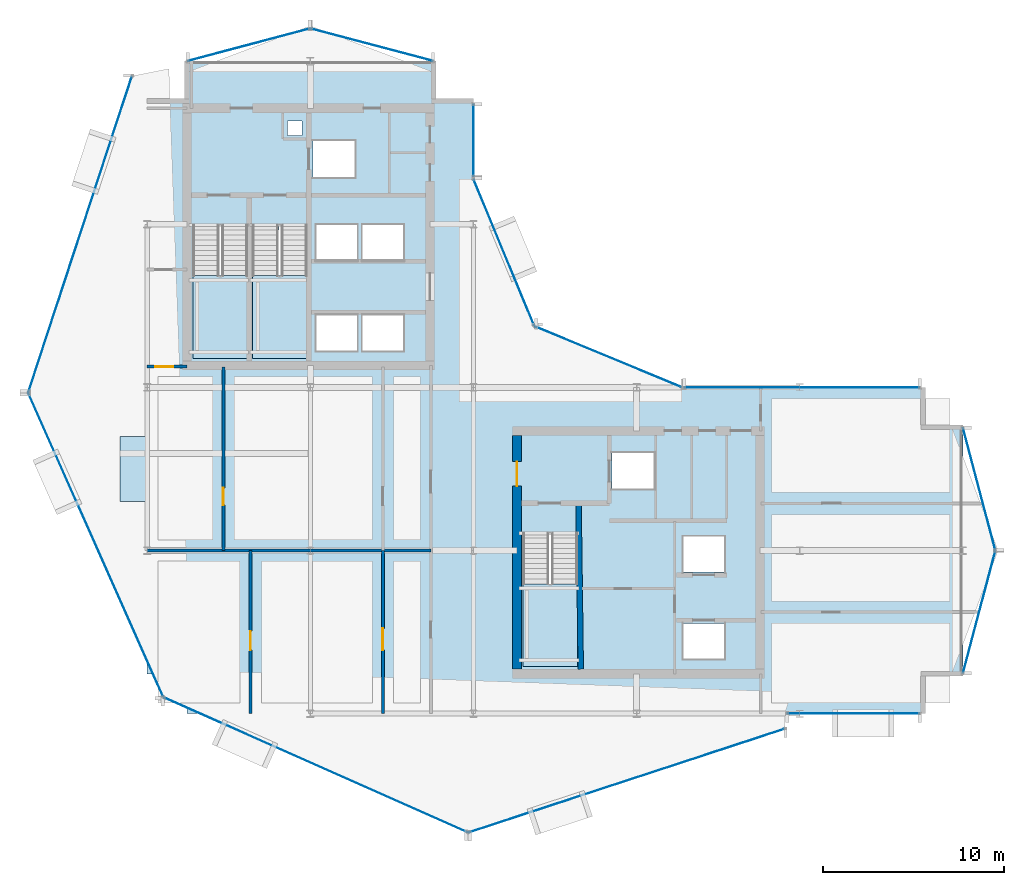
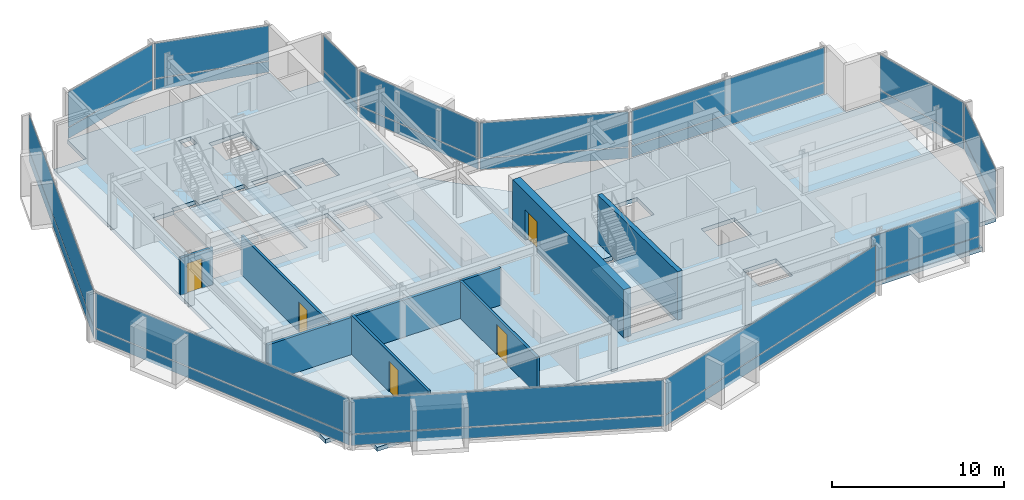
# One storey, part 19 of 27: 26 plates, 7 walls, 5 doors, 5 slabs, 5 openings, 16 elements without a shape of their own.
"""IFC4 building model written with IfcOpenShell, lengths in metres."""

from ifc_helpers import new_model, si_unit, direction, frame, frame_2d, origin, origin_2d, place, context, subcontext, project, spatial, polyline, rectangle, outline, extrude, material, layer, layer_set, type_object, element, fill, aggregate, save


model = new_model("IFC4")

# Units and contexts
model_context = context("Model", 3, precision=1e-05, world=origin(), true_north=direction((0.0, 1.0)))
body_context = subcontext(model_context, "Body", "Model", "MODEL_VIEW")
ifc_project = project(units=[si_unit("LENGTHUNIT", "METRE"), si_unit("AREAUNIT", "SQUARE_METRE"), si_unit("VOLUMEUNIT", "CUBIC_METRE"), si_unit("PLANEANGLEUNIT", "RADIAN"), si_unit("MASSUNIT", "GRAM", prefix="KILO")], contexts=[model_context])

# Site, building, storey
site_placement = place(None, origin())
site = spatial("IfcSite", under=ifc_project, at=site_placement, CompositionType="ELEMENT")
building_placement = place(site_placement, origin())
building = spatial("IfcBuilding", under=site, at=building_placement, Name="Solvaryn Broadcast Tower", CompositionType="ELEMENT")
storey_placement = place(building_placement, frame((0.0, 0.0, 189.0)))
storey = spatial("IfcBuildingStorey", under=building, at=storey_placement, Name="L47", CompositionType="ELEMENT", Elevation=189.0)

# Curtain wall, plates
ifc_material_1 = material(Name="Aluminium and Terracotta Unitised Curtain Wall", Category="masonry")
ifc_layer_1 = layer(ifc_material_1, 0.199951171875)
ifc_layer_set_1 = layer_set([ifc_layer_1], Name="CW-SYS2-LOWMID")
curtain_wall_type = type_object("IfcCurtainWallType", Name="CW-SYS2-LOWMID", PredefinedType="NOTDEFINED", material=ifc_layer_set_1)
curtain_wall_1_placement = place(storey_placement, origin())
curtain_wall_1 = element("IfcCurtainWall", 1, at=curtain_wall_1_placement, inside=storey, type_object=curtain_wall_type, Name="L47 Curtain Wall DR1", PredefinedType="NOTDEFINED")
ifc_material_2 = material(Name="Low-Iron Insulated Vision Glass", Category="glass")
ifc_layer_2 = layer(ifc_material_2, 0.035888671875)
ifc_layer_set_2 = layer_set([ifc_layer_2], Name="CW-PNL-VISION")
plate_type = type_object("IfcPlateType", Name="CW-PNL-VISION", PredefinedType="CURTAIN_PANEL", material=ifc_layer_set_2)
plate_1_placement = place(storey_placement, frame((5.298095703125, 35.444091796875, 0.06005859375), z_axis=(0.0, 0.0, 1.0), x_axis=(-0.311558717623, -0.950226902099, 0.0)))
plate_1 = element("IfcPlate", 2, at=plate_1_placement, type_object=plate_type, Name="CWS2 panel 1.1", PredefinedType="CURTAIN_PANEL", context=body_context, shape_type="SweptSolid", body=[
    extrude(rectangle(XDim=18.271484375, YDim=0.028076171875, at=origin_2d()), origin(), (0.0, 0.0, 1.0), 0.760009765625),
])
plate_2_placement = place(storey_placement, frame((5.298095703125, 35.444091796875, 0.880126953125), z_axis=(0.0, 0.0, 1.0), x_axis=(-0.311558717623, -0.950226902099, 0.0)))
plate_2 = element("IfcPlate", 3, at=plate_2_placement, type_object=plate_type, Name="CWS2 panel 1.2", PredefinedType="CURTAIN_PANEL", context=body_context, shape_type="SweptSolid", body=[
    extrude(rectangle(XDim=18.271484375, YDim=0.028076171875, at=origin_2d()), origin(), (0.0, 0.0, 1.0), 2.47998046875),
])
aggregate(curtain_wall_1, [plate_1, plate_2])

curtain_wall_2_placement = place(storey_placement, origin())
curtain_wall_2 = element("IfcCurtainWall", 4, at=curtain_wall_2_placement, inside=storey, type_object=curtain_wall_type, Name="L47 Curtain Wall DR2", PredefinedType="NOTDEFINED")
plate_3_placement = place(storey_placement, frame((6.16552734375, 18.302001953125, 0.06005859375), z_axis=(0.0, 0.0, 1.0), x_axis=(0.405901337237, -0.913916902365, 0.0)))
plate_3 = element("IfcPlate", 5, at=plate_3_placement, type_object=plate_type, Name="CWS2 panel 1.1", PredefinedType="CURTAIN_PANEL", context=body_context, shape_type="SweptSolid", body=[
    extrude(rectangle(XDim=18.271240234375, YDim=0.028076171875, at=origin_2d()), origin(), (0.0, 0.0, 1.0), 0.760009765625),
])
plate_4_placement = place(storey_placement, frame((6.16552734375, 18.302001953125, 0.880126953125), z_axis=(0.0, 0.0, 1.0), x_axis=(0.405901337237, -0.913916902365, 0.0)))
plate_4 = element("IfcPlate", 6, at=plate_4_placement, type_object=plate_type, Name="CWS2 panel 1.2", PredefinedType="CURTAIN_PANEL", context=body_context, shape_type="SweptSolid", body=[
    extrude(rectangle(XDim=18.271240234375, YDim=0.028076171875, at=origin_2d()), origin(), (0.0, 0.0, 1.0), 2.47998046875),
])
aggregate(curtain_wall_2, [plate_3, plate_4])

curtain_wall_3_placement = place(storey_placement, origin())
curtain_wall_3 = element("IfcCurtainWall", 7, at=curtain_wall_3_placement, inside=storey, type_object=curtain_wall_type, Name="L47 Curtain Wall DR3", PredefinedType="NOTDEFINED")
plate_5_placement = place(storey_placement, frame((18.302001953125, 6.16552734375, 0.06005859375), z_axis=(0.0, 0.0, 1.0), x_axis=(0.913916902365, -0.405901337237, 0.0)))
plate_5 = element("IfcPlate", 8, at=plate_5_placement, type_object=plate_type, Name="CWS2 panel 1.1", PredefinedType="CURTAIN_PANEL", context=body_context, shape_type="SweptSolid", body=[
    extrude(rectangle(XDim=18.271240234375, YDim=0.028076171875, at=origin_2d()), origin(), (0.0, 0.0, 1.0), 0.760009765625),
])
plate_6_placement = place(storey_placement, frame((18.302001953125, 6.16552734375, 0.880126953125), z_axis=(0.0, 0.0, 1.0), x_axis=(0.913916902365, -0.405901337237, 0.0)))
plate_6 = element("IfcPlate", 9, at=plate_6_placement, type_object=plate_type, Name="CWS2 panel 1.2", PredefinedType="CURTAIN_PANEL", context=body_context, shape_type="SweptSolid", body=[
    extrude(rectangle(XDim=18.271240234375, YDim=0.028076171875, at=origin_2d()), origin(), (0.0, 0.0, 1.0), 2.47998046875),
])
aggregate(curtain_wall_3, [plate_5, plate_6])

curtain_wall_4_placement = place(storey_placement, origin())
curtain_wall_4 = element("IfcCurtainWall", 10, at=curtain_wall_4_placement, inside=storey, type_object=curtain_wall_type, Name="L47 Curtain Wall DR4", PredefinedType="NOTDEFINED")
plate_7_placement = place(storey_placement, frame((35.444091796875, 5.298095703125, 0.06005859375), z_axis=(0.0, 0.0, 1.0), x_axis=(0.950226902099, 0.311558717623, 0.0)))
plate_7 = element("IfcPlate", 11, at=plate_7_placement, type_object=plate_type, Name="CWS2 panel 1.1", PredefinedType="CURTAIN_PANEL", context=body_context, shape_type="SweptSolid", body=[
    extrude(rectangle(XDim=18.271484375, YDim=0.028076171875, at=origin_2d()), origin(), (0.0, 0.0, 1.0), 0.760009765625),
])
plate_8_placement = place(storey_placement, frame((35.444091796875, 5.298095703125, 0.880126953125), z_axis=(0.0, 0.0, 1.0), x_axis=(0.950226902099, 0.311558717623, 0.0)))
plate_8 = element("IfcPlate", 12, at=plate_8_placement, type_object=plate_type, Name="CWS2 panel 1.2", PredefinedType="CURTAIN_PANEL", context=body_context, shape_type="SweptSolid", body=[
    extrude(rectangle(XDim=18.271484375, YDim=0.028076171875, at=origin_2d()), origin(), (0.0, 0.0, 1.0), 2.47998046875),
])
aggregate(curtain_wall_4, [plate_7, plate_8])

curtain_wall_5_placement = place(storey_placement, origin())
curtain_wall_5 = element("IfcCurtainWall", 13, at=curtain_wall_5_placement, inside=storey, type_object=curtain_wall_type, Name="L47 Curtain Wall IV", PredefinedType="NOTDEFINED")
plate_9_placement = place(storey_placement, frame((27.0, 40.625, 0.06005859375), z_axis=(0.0, 0.0, 1.0), x_axis=(0.0, -1.0, 0.0)))
plate_9 = element("IfcPlate", 14, at=plate_9_placement, type_object=plate_type, Name="CWS2 panel 1.1", PredefinedType="CURTAIN_PANEL", context=body_context, shape_type="SweptSolid", body=[
    extrude(rectangle(XDim=3.929931640625, YDim=0.028076171875, at=origin_2d()), origin(), (0.0, 0.0, 1.0), 0.760009765625),
])
plate_10_placement = place(storey_placement, frame((27.0, 40.625, 0.880126953125), z_axis=(0.0, 0.0, 1.0), x_axis=(0.0, -1.0, 0.0)))
plate_10 = element("IfcPlate", 15, at=plate_10_placement, type_object=plate_type, Name="CWS2 panel 1.2", PredefinedType="CURTAIN_PANEL", context=body_context, shape_type="SweptSolid", body=[
    extrude(rectangle(XDim=3.929931640625, YDim=0.028076171875, at=origin_2d()), origin(), (0.0, 0.0, 1.0), 2.47998046875),
])
aggregate(curtain_wall_5, [plate_9, plate_10])

curtain_wall_6_placement = place(storey_placement, origin())
curtain_wall_6 = element("IfcCurtainWall", 16, at=curtain_wall_6_placement, inside=storey, type_object=curtain_wall_type, Name="L47 Curtain Wall CN1", PredefinedType="NOTDEFINED")
plate_11_placement = place(storey_placement, frame((34.43408203125, 28.68408203125, 0.06005859375), z_axis=(0.0, 0.0, 1.0), x_axis=(-0.923894983957, 0.382646127145, 0.0)))
plate_11 = element("IfcPlate", 17, at=plate_11_placement, type_object=plate_type, Name="CWS2 panel 1.1", PredefinedType="CURTAIN_PANEL", context=body_context, shape_type="SweptSolid", body=[
    extrude(rectangle(XDim=8.681884765625, YDim=0.028076171875, at=origin_2d()), origin(), (0.0, 0.0, 1.0), 0.760009765625),
])
plate_12_placement = place(storey_placement, frame((34.43408203125, 28.68408203125, 0.880126953125), z_axis=(0.0, 0.0, 1.0), x_axis=(-0.923894983957, 0.382646127145, 0.0)))
plate_12 = element("IfcPlate", 18, at=plate_12_placement, type_object=plate_type, Name="CWS2 panel 1.2", PredefinedType="CURTAIN_PANEL", context=body_context, shape_type="SweptSolid", body=[
    extrude(rectangle(XDim=8.681884765625, YDim=0.028076171875, at=origin_2d()), origin(), (0.0, 0.0, 1.0), 2.47998046875),
])
aggregate(curtain_wall_6, [plate_11, plate_12])

curtain_wall_7_placement = place(storey_placement, origin())
curtain_wall_7 = element("IfcCurtainWall", 19, at=curtain_wall_7_placement, inside=storey, type_object=curtain_wall_type, Name="L47 Curtain Wall CN2", PredefinedType="NOTDEFINED")
plate_13_placement = place(storey_placement, frame((28.68408203125, 34.43408203125, 0.06005859375), z_axis=(0.0, 0.0, 1.0), x_axis=(-0.382646127145, 0.923894983957, 0.0)))
plate_13 = element("IfcPlate", 20, at=plate_13_placement, type_object=plate_type, Name="CWS2 panel 1.1", PredefinedType="CURTAIN_PANEL", context=body_context, shape_type="SweptSolid", body=[
    extrude(rectangle(XDim=8.681884765625, YDim=0.028076171875, at=origin_2d()), origin(), (0.0, 0.0, 1.0), 0.760009765625),
])
plate_14_placement = place(storey_placement, frame((28.68408203125, 34.43408203125, 0.880126953125), z_axis=(0.0, 0.0, 1.0), x_axis=(-0.382646127145, 0.923894983957, 0.0)))
plate_14 = element("IfcPlate", 21, at=plate_14_placement, type_object=plate_type, Name="CWS2 panel 1.2", PredefinedType="CURTAIN_PANEL", context=body_context, shape_type="SweptSolid", body=[
    extrude(rectangle(XDim=8.681884765625, YDim=0.028076171875, at=origin_2d()), origin(), (0.0, 0.0, 1.0), 2.47998046875),
])
aggregate(curtain_wall_7, [plate_13, plate_14])

curtain_wall_8_placement = place(storey_placement, origin())
curtain_wall_8 = element("IfcCurtainWall", 22, at=curtain_wall_8_placement, inside=storey, type_object=curtain_wall_type, Name="L47 Curtain Wall S2", PredefinedType="NOTDEFINED")
plate_15_placement = place(storey_placement, frame((47.966064453125, 9.0, 0.06005859375), z_axis=(0.0, 0.0, 1.0), x_axis=(1.0, 0.0, 0.0)))
plate_15 = element("IfcPlate", 23, at=plate_15_placement, type_object=plate_type, Name="CWS2 panel 1.1", PredefinedType="CURTAIN_PANEL", context=body_context, shape_type="SweptSolid", body=[
    extrude(rectangle(XDim=7.248046875, YDim=0.028076171875, at=origin_2d()), origin(), (0.0, 0.0, 1.0), 0.760009765625),
])
plate_16_placement = place(storey_placement, frame((47.966064453125, 9.0, 0.880126953125), z_axis=(0.0, 0.0, 1.0), x_axis=(1.0, 0.0, 0.0)))
plate_16 = element("IfcPlate", 24, at=plate_16_placement, type_object=plate_type, Name="CWS2 panel 1.2", PredefinedType="CURTAIN_PANEL", context=body_context, shape_type="SweptSolid", body=[
    extrude(rectangle(XDim=7.248046875, YDim=0.028076171875, at=origin_2d()), origin(), (0.0, 0.0, 1.0), 2.47998046875),
])
aggregate(curtain_wall_8, [plate_15, plate_16])

curtain_wall_9_placement = place(storey_placement, origin())
curtain_wall_9 = element("IfcCurtainWall", 25, at=curtain_wall_9_placement, inside=storey, type_object=curtain_wall_type, Name="L47 Curtain Wall NT1", PredefinedType="NOTDEFINED")
plate_17_placement = place(storey_placement, frame((21.39990234375, 45.89990234375, 0.06005859375), z_axis=(0.0, 0.0, 1.0), x_axis=(-0.966705227863, 0.25589256031, 0.0)))
plate_17 = element("IfcPlate", 26, at=plate_17_placement, type_object=plate_type, Name="CWS2 panel 1.1", PredefinedType="CURTAIN_PANEL", context=body_context, shape_type="SweptSolid", body=[
    extrude(rectangle(XDim=6.914306640625, YDim=0.028076171875, at=origin_2d()), origin(), (0.0, 0.0, 1.0), 0.760009765625),
])
plate_18_placement = place(storey_placement, frame((21.39990234375, 45.89990234375, 0.880126953125), z_axis=(0.0, 0.0, 1.0), x_axis=(-0.966705227863, 0.25589256031, 0.0)))
plate_18 = element("IfcPlate", 27, at=plate_18_placement, type_object=plate_type, Name="CWS2 panel 1.2", PredefinedType="CURTAIN_PANEL", context=body_context, shape_type="SweptSolid", body=[
    extrude(rectangle(XDim=6.914306640625, YDim=0.028076171875, at=origin_2d()), origin(), (0.0, 0.0, 1.0), 2.47998046875),
])
aggregate(curtain_wall_9, [plate_17, plate_18])

curtain_wall_10_placement = place(storey_placement, origin())
curtain_wall_10 = element("IfcCurtainWall", 28, at=curtain_wall_10_placement, inside=storey, type_object=curtain_wall_type, Name="L47 Curtain Wall NT2", PredefinedType="NOTDEFINED")
plate_19_placement = place(storey_placement, frame((14.60009765625, 45.89990234375, 0.06005859375), z_axis=(0.0, 0.0, 1.0), x_axis=(-0.966705227863, -0.25589256031, 0.0)))
plate_19 = element("IfcPlate", 29, at=plate_19_placement, type_object=plate_type, Name="CWS2 panel 1.1", PredefinedType="CURTAIN_PANEL", context=body_context, shape_type="SweptSolid", body=[
    extrude(rectangle(XDim=6.914306640625, YDim=0.028076171875, at=origin_2d()), origin(), (0.0, 0.0, 1.0), 0.760009765625),
])
plate_20_placement = place(storey_placement, frame((14.60009765625, 45.89990234375, 0.880126953125), z_axis=(0.0, 0.0, 1.0), x_axis=(-0.966705227863, -0.25589256031, 0.0)))
plate_20 = element("IfcPlate", 30, at=plate_20_placement, type_object=plate_type, Name="CWS2 panel 1.2", PredefinedType="CURTAIN_PANEL", context=body_context, shape_type="SweptSolid", body=[
    extrude(rectangle(XDim=6.914306640625, YDim=0.028076171875, at=origin_2d()), origin(), (0.0, 0.0, 1.0), 2.47998046875),
])
aggregate(curtain_wall_10, [plate_19, plate_20])

curtain_wall_11_placement = place(storey_placement, origin())
curtain_wall_11 = element("IfcCurtainWall", 31, at=curtain_wall_11_placement, inside=storey, type_object=curtain_wall_type, Name="L47 Curtain Wall ET1", PredefinedType="NOTDEFINED")
plate_21_placement = place(storey_placement, frame((54.89990234375, 21.39990234375, 0.06005859375), z_axis=(0.0, 0.0, 1.0), x_axis=(0.25589256031, -0.966705227863, 0.0)))
plate_21 = element("IfcPlate", 32, at=plate_21_placement, type_object=plate_type, Name="CWS2 panel 1.1", PredefinedType="CURTAIN_PANEL", context=body_context, shape_type="SweptSolid", body=[
    extrude(rectangle(XDim=6.914306640625, YDim=0.028076171875, at=origin_2d()), origin(), (0.0, 0.0, 1.0), 0.760009765625),
])
plate_22_placement = place(storey_placement, frame((54.89990234375, 21.39990234375, 0.880126953125), z_axis=(0.0, 0.0, 1.0), x_axis=(0.25589256031, -0.966705227863, 0.0)))
plate_22 = element("IfcPlate", 33, at=plate_22_placement, type_object=plate_type, Name="CWS2 panel 1.2", PredefinedType="CURTAIN_PANEL", context=body_context, shape_type="SweptSolid", body=[
    extrude(rectangle(XDim=6.914306640625, YDim=0.028076171875, at=origin_2d()), origin(), (0.0, 0.0, 1.0), 2.47998046875),
])
aggregate(curtain_wall_11, [plate_21, plate_22])

curtain_wall_12_placement = place(storey_placement, origin())
curtain_wall_12 = element("IfcCurtainWall", 34, at=curtain_wall_12_placement, inside=storey, type_object=curtain_wall_type, Name="L47 Curtain Wall ET2", PredefinedType="NOTDEFINED")
plate_23_placement = place(storey_placement, frame((54.89990234375, 14.60009765625, 0.06005859375), z_axis=(0.0, 0.0, 1.0), x_axis=(-0.25589256031, -0.966705227863, 0.0)))
plate_23 = element("IfcPlate", 35, at=plate_23_placement, type_object=plate_type, Name="CWS2 panel 1.1", PredefinedType="CURTAIN_PANEL", context=body_context, shape_type="SweptSolid", body=[
    extrude(rectangle(XDim=6.914306640625, YDim=0.028076171875, at=origin_2d()), origin(), (0.0, 0.0, 1.0), 0.760009765625),
])
plate_24_placement = place(storey_placement, frame((54.89990234375, 14.60009765625, 0.880126953125), z_axis=(0.0, 0.0, 1.0), x_axis=(-0.25589256031, -0.966705227863, 0.0)))
plate_24 = element("IfcPlate", 36, at=plate_24_placement, type_object=plate_type, Name="CWS2 panel 1.2", PredefinedType="CURTAIN_PANEL", context=body_context, shape_type="SweptSolid", body=[
    extrude(rectangle(XDim=6.914306640625, YDim=0.028076171875, at=origin_2d()), origin(), (0.0, 0.0, 1.0), 2.47998046875),
])
aggregate(curtain_wall_12, [plate_23, plate_24])

curtain_wall_13_placement = place(storey_placement, origin())
curtain_wall_13 = element("IfcCurtainWall", 37, at=curtain_wall_13_placement, inside=storey, type_object=curtain_wall_type, Name="L47 Curtain Wall IH", PredefinedType="NOTDEFINED")
plate_25_placement = place(storey_placement, frame((45.125, 27.0, 0.06005859375), z_axis=(0.0, 0.0, 1.0), x_axis=(1.0, 0.0, 0.0)))
plate_25 = element("IfcPlate", 38, at=plate_25_placement, type_object=plate_type, Name="CWS2 panel 1.1", PredefinedType="CURTAIN_PANEL", context=body_context, shape_type="SweptSolid", body=[
    extrude(rectangle(XDim=12.929931640625, YDim=0.028076171875, at=origin_2d()), origin(), (0.0, 0.0, 1.0), 0.760009765625),
])
plate_26_placement = place(storey_placement, frame((45.125, 27.0, 0.880126953125), z_axis=(0.0, 0.0, 1.0), x_axis=(1.0, 0.0, 0.0)))
plate_26 = element("IfcPlate", 39, at=plate_26_placement, type_object=plate_type, Name="CWS2 panel 1.2", PredefinedType="CURTAIN_PANEL", context=body_context, shape_type="SweptSolid", body=[
    extrude(rectangle(XDim=12.929931640625, YDim=0.028076171875, at=origin_2d()), origin(), (0.0, 0.0, 1.0), 2.47998046875),
])
aggregate(curtain_wall_13, [plate_25, plate_26])

# Slab
ifc_material_3 = material(Name="Concrete f'c 60 MPa", Category="concrete")
ifc_layer_3 = layer(ifc_material_3, 0.2099609375)
ifc_layer_set_3 = layer_set([ifc_layer_3], Name="SL-BAYBOX-210")
slab_type_1 = type_object("IfcSlabType", Name="SL-BAYBOX-210", PredefinedType="FLOOR", material=ifc_layer_set_3)
slab_1_placement = place(storey_placement, frame((0.0, 0.0, -0.2099609375)))
element("IfcSlab", 40, at=slab_1_placement, inside=storey, type_object=slab_type_1, Name="L47 Projecting Bay-Box Slab 1", PredefinedType="FLOOR", context=body_context, shape_type="SweptSolid", body=[
    extrude(outline(polyline([(7.5, 20.699951171875), (9.0, 20.699951171875), (9.0, 24.300048828125), (7.5, 24.300048828125), (7.5, 20.699951171875)])), origin(), (0.0, 0.0, 1.0), 0.2099609375),
])

# Stair, slab
ifc_material_4 = material(Name="Concrete f'c 60 MPa", Category="concrete")
stair_type = type_object("IfcStairType", Name="ST-CORE", PredefinedType="HALF_TURN_STAIR", material=ifc_material_4)
stair_1_placement = place(storey_placement, origin())
stair_1 = element("IfcStair", 41, at=stair_1_placement, inside=storey, type_object=stair_type, Name="L47 ST1", PredefinedType="HALF_TURN_STAIR")
ifc_material_5 = material(Name="Concrete f'c 60 MPa", Category="concrete")
ifc_layer_4 = layer(ifc_material_5, 0.199951171875)
ifc_layer_set_4 = layer_set([ifc_layer_4], Name="SL-LANDING-200")
slab_type_2 = type_object("IfcSlabType", Name="SL-LANDING-200", PredefinedType="LANDING", material=ifc_layer_set_4)
slab_2_placement = place(storey_placement, frame((0.0, 0.0, 1.64990234375)))
slab_2 = element("IfcSlab", 42, at=slab_2_placement, type_object=slab_type_2, Name="ST1 landing 1", PredefinedType="LANDING", context=body_context, shape_type="SweptSolid", body=[
    extrude(outline(polyline([(11.52001953125, 33.159912109375), (11.52001953125, 28.60009765625), (14.550048828125, 28.60009765625), (14.550048828125, 33.159912109375), (11.52001953125, 33.159912109375)])), origin(), (0.0, 0.0, 1.0), 0.2001953125),
])
aggregate(stair_1, [slab_2])

stair_2_placement = place(storey_placement, origin())
stair_2 = element("IfcStair", 43, at=stair_2_placement, inside=storey, type_object=stair_type, Name="L47 ST2", PredefinedType="HALF_TURN_STAIR")
slab_3_placement = place(storey_placement, frame((0.0, 0.0, 1.64990234375)))
slab_3 = element("IfcSlab", 44, at=slab_3_placement, type_object=slab_type_2, Name="ST2 landing 1", PredefinedType="LANDING", context=body_context, shape_type="SweptSolid", body=[
    extrude(outline(polyline([(14.800048828125, 33.159912109375), (14.800048828125, 28.60009765625), (17.830078125, 28.60009765625), (17.830078125, 33.159912109375), (14.800048828125, 33.159912109375)])), origin(), (0.0, 0.0, 1.0), 0.2001953125),
])
aggregate(stair_2, [slab_3])

stair_3_placement = place(storey_placement, origin())
stair_3 = element("IfcStair", 45, at=stair_3_placement, inside=storey, type_object=stair_type, Name="L47 ST3", PredefinedType="HALF_TURN_STAIR")
slab_4_placement = place(storey_placement, frame((0.0, 0.0, 1.64990234375)))
slab_4 = element("IfcSlab", 46, at=slab_4_placement, type_object=slab_type_2, Name="ST3 landing 1", PredefinedType="LANDING", context=body_context, shape_type="SweptSolid", body=[
    extrude(outline(polyline([(29.719970703125, 16.159912109375), (29.719970703125, 11.60009765625), (32.75, 11.60009765625), (32.75, 16.159912109375), (29.719970703125, 16.159912109375)])), origin(), (0.0, 0.0, 1.0), 0.2001953125),
])
aggregate(stair_3, [slab_4])

# Slab
ifc_material_6 = material(Name="Concrete f'c 60 MPa", Category="concrete")
ifc_layer_5 = layer(ifc_material_6, 0.280029296875)
ifc_layer_set_5 = layer_set([ifc_layer_5], Name="SL-TWR-280")
slab_type_3 = type_object("IfcSlabType", Name="SL-TWR-280", PredefinedType="FLOOR", material=ifc_layer_set_5)
slab_5_placement = place(storey_placement, frame((0.0, 0.0, -0.280029296875)))
element("IfcSlab", 47, at=slab_5_placement, inside=storey, type_object=slab_type_3, Name="L47 Structural Floor Slab", PredefinedType="FLOOR", context=body_context, shape_type="SweptSolid", body=[
    extrude(outline(polyline([(11.199951171875, 9.0), (51.800048828125, 9.0), (51.800048828125, 11.199951171875), (54.0, 11.199951171875), (54.0, 24.800048828125), (51.800048828125, 24.800048828125), (51.800048828125, 27.0), (31.5, 27.0), (27.0, 31.5), (27.0, 42.800048828125), (24.800048828125, 42.800048828125), (24.800048828125, 45.0), (11.199951171875, 45.0), (11.199951171875, 42.800048828125), (9.0, 42.800048828125), (9.0, 11.199951171875), (11.199951171875, 11.199951171875), (11.199951171875, 9.0)]), holes=[polyline([(11.52001953125, 28.60009765625), (14.550048828125, 28.60009765625), (14.550048828125, 35.9599609375), (12.97998046875, 35.9599609375), (12.97998046875, 35.679931640625), (11.52001953125, 35.679931640625), (11.52001953125, 28.60009765625)]), polyline([(14.800048828125, 28.60009765625), (17.830078125, 28.60009765625), (17.830078125, 35.9599609375), (16.260009765625, 35.9599609375), (16.260009765625, 35.679931640625), (14.800048828125, 35.679931640625), (14.800048828125, 28.60009765625)]), polyline([(29.719970703125, 11.60009765625), (32.75, 11.60009765625), (32.75, 18.9599609375), (31.179931640625, 18.9599609375), (31.179931640625, 18.679931640625), (29.719970703125, 18.679931640625), (29.719970703125, 11.60009765625)]), polyline([(18.14990234375, 38.60009765625), (20.449951171875, 38.60009765625), (20.449951171875, 40.60009765625), (18.14990234375, 40.60009765625), (18.14990234375, 38.60009765625)]), polyline([(18.324951171875, 29.02490234375), (20.574951171875, 29.02490234375), (20.574951171875, 30.97509765625), (18.324951171875, 30.97509765625), (18.324951171875, 29.02490234375)]), polyline([(20.875, 29.02490234375), (23.125, 29.02490234375), (23.125, 30.97509765625), (20.875, 30.97509765625), (20.875, 29.02490234375)]), polyline([(18.324951171875, 34.02490234375), (20.574951171875, 34.02490234375), (20.574951171875, 35.97509765625), (18.324951171875, 35.97509765625), (18.324951171875, 34.02490234375)]), polyline([(20.875, 34.02490234375), (23.125, 34.02490234375), (23.125, 35.97509765625), (20.875, 35.97509765625), (20.875, 34.02490234375)]), polyline([(34.64990234375, 21.39990234375), (36.949951171875, 21.39990234375), (36.949951171875, 23.39990234375), (34.64990234375, 23.39990234375), (34.64990234375, 21.39990234375)]), polyline([(38.574951171875, 12.02490234375), (40.824951171875, 12.02490234375), (40.824951171875, 13.97509765625), (38.574951171875, 13.97509765625), (38.574951171875, 12.02490234375)]), polyline([(38.574951171875, 16.824951171875), (40.824951171875, 16.824951171875), (40.824951171875, 18.77490234375), (38.574951171875, 18.77490234375), (38.574951171875, 16.824951171875)]), polyline([(16.75, 40.89990234375), (17.550048828125, 40.89990234375), (17.550048828125, 41.699951171875), (16.75, 41.699951171875), (16.75, 40.89990234375)])]), origin(), (0.0, 0.0, 1.0), 0.280029296875),
])

# Wall, opening, door
ifc_material_7 = material(Name="Concrete f'c 70 MPa", Category="concrete")
ifc_layer_6 = layer(ifc_material_7, 0.5)
ifc_layer_set_6 = layer_set([ifc_layer_6], Name="CW-SHEAR-500")
wall_type_1 = type_object("IfcWallType", Name="CW-SHEAR-500", PredefinedType="SHEAR", material=ifc_layer_set_6)
wall_1_placement = place(storey_placement, frame((29.39990234375, 24.35009765625, 0.0), z_axis=(0.0, 0.0, 1.0), x_axis=(0.0, -1.0, 0.0)))
wall_1 = element("IfcWall", 48, at=wall_1_placement, inside=storey, type_object=wall_type_1, Name="L47 East Core West Shear Wall", PredefinedType="SHEAR", context=body_context, shape_type="SweptSolid", body=[
    extrude(rectangle(XDim=12.900146484375, YDim=0.5, at=frame_2d((6.4501953125, 0.0))), origin(), (0.0, 0.0, 1.0), 3.419921875),
])
opening_1_placement = place(wall_1_placement, frame((1.449951171875, 0.0, 0.0)))
opening_1 = element("IfcOpeningElement", 49, at=opening_1_placement, cuts=wall_1, Name="Opening FD90B", PredefinedType="OPENING", context=body_context, shape_type="SweptSolid", body=[
    extrude(rectangle(XDim=1.35009765625, YDim=2.14990234375, at=frame_2d((0.675048828125, 1.074951171875))), frame((0.0, 0.260009765625, 0.0), z_axis=(0.0, -1.0, 0.0), x_axis=(1.0, 0.0, 0.0)), (0.0, 0.0, 1.0), 0.52001953125),
])
ifc_material_8 = material(Name="Flush Acoustic Steel and Timber Door Assembly", Category="steel")
door_type_1 = type_object("IfcDoorType", Name="FD90-LOBBY-1350X2150", OperationType="NOTDEFINED", PredefinedType="DOOR", material=ifc_material_8)
door_1_placement = place(opening_1_placement, origin())
door_1 = element("IfcDoor", 50, at=door_1_placement, inside=storey, type_object=door_type_1, Name="L47 East FSAE Lobby Door", OperationType="SINGLE_SWING_RIGHT", OverallHeight=2.14990234375, OverallWidth=1.35009765625, PredefinedType="DOOR", context=body_context, shape_type="SweptSolid", body=[
    extrude(rectangle(XDim=1.35009765625, YDim=2.14990234375, at=frame_2d((0.675048828125, 1.074951171875))), frame((0.0, 0.02490234375, 0.0), z_axis=(0.0, -1.0, 0.0), x_axis=(1.0, 0.0, 0.0)), (0.0, 0.0, 1.0), 0.050048828125),
])
fill(opening_1, door_1)

ifc_material_9 = material(Name="Metal-Stud Gypsum Office Partition")
ifc_layer_7 = layer(ifc_material_9, 0.159912109375)
ifc_layer_set_7 = layer_set([ifc_layer_7], Name="IW-PART-160")
wall_type_2 = type_object("IfcWallType", Name="IW-PART-160", PredefinedType="PARTITIONING", material=ifc_layer_set_7)
wall_2_placement = place(storey_placement, frame((9.0, 28.14990234375, 0.0), z_axis=(0.0, 0.0, 1.0), x_axis=(1.0, 0.0, 0.0)))
wall_2 = element("IfcWall", 51, at=wall_2_placement, inside=storey, type_object=wall_type_2, Name="L47 Interior Partition IW-L47-WM-S", PredefinedType="PARTITIONING", context=body_context, shape_type="SweptSolid", body=[
    extrude(rectangle(XDim=2.199951171875, YDim=0.159912109375, at=frame_2d((1.10009765625, 0.0))), origin(), (0.0, 0.0, 1.0), 2.634033203125),
])
opening_2_placement = place(wall_2_placement, frame((0.449951171875, 0.0, 0.0)))
opening_2 = element("IfcOpeningElement", 52, at=opening_2_placement, cuts=wall_2, Name="Opening ID02", PredefinedType="OPENING", context=body_context, shape_type="SweptSolid", body=[
    extrude(rectangle(XDim=1.0, YDim=2.10009765625, at=frame_2d((0.5, 1.050048828125))), frame((0.0, 0.090087890625, 0.0), z_axis=(0.0, -1.0, 0.0), x_axis=(1.0, 0.0, 0.0)), (0.0, 0.0, 1.0), 0.179931640625),
])
ifc_material_10 = material(Name="Flush Acoustic Steel and Timber Door Assembly", Category="steel")
door_type_2 = type_object("IfcDoorType", Name="ID-02-1000X2100", OperationType="NOTDEFINED", PredefinedType="DOOR", material=ifc_material_10)
door_2_placement = place(opening_2_placement, origin())
door_2 = element("IfcDoor", 53, at=door_2_placement, inside=storey, type_object=door_type_2, Name="L47 Door DR-L47-WM0", OperationType="SINGLE_SWING_RIGHT", OverallHeight=2.10009765625, OverallWidth=1.0, PredefinedType="DOOR", context=body_context, shape_type="SweptSolid", body=[
    extrude(rectangle(XDim=1.0, YDim=2.10009765625, at=frame_2d((0.5, 1.050048828125))), frame((0.0, 0.02490234375, 0.0), z_axis=(0.0, -1.0, 0.0), x_axis=(1.0, 0.0, 0.0)), (0.0, 0.0, 1.0), 0.050048828125),
])
fill(opening_2, door_2)

wall_3_placement = place(storey_placement, frame((13.199951171875, 18.0, 0.0), z_axis=(0.0, 0.0, 1.0), x_axis=(0.0, 1.0, 0.0)))
wall_3 = element("IfcWall", 54, at=wall_3_placement, inside=storey, type_object=wall_type_2, Name="L47 Interior Partition IW-L47-SWN-V1", PredefinedType="PARTITIONING", context=body_context, shape_type="SweptSolid", body=[
    extrude(rectangle(XDim=10.1298828125, YDim=0.159912109375, at=frame_2d((5.06494140625, 0.0))), origin(), (0.0, 0.0, 1.0), 2.7890625),
])
opening_3_placement = place(wall_3_placement, frame((2.5, 0.0, 0.0)))
opening_3 = element("IfcOpeningElement", 55, at=opening_3_placement, cuts=wall_3, Name="Opening ID01", PredefinedType="OPENING", context=body_context, shape_type="SweptSolid", body=[
    extrude(rectangle(XDim=0.949951171875, YDim=2.10009765625, at=frame_2d((0.47509765625, 1.050048828125))), frame((0.0, 0.090087890625, 0.0), z_axis=(0.0, -1.0, 0.0), x_axis=(1.0, 0.0, 0.0)), (0.0, 0.0, 1.0), 0.179931640625),
])
ifc_material_11 = material(Name="Flush Acoustic Steel and Timber Door Assembly", Category="steel")
door_type_3 = type_object("IfcDoorType", Name="ID-01-950X2100", OperationType="NOTDEFINED", PredefinedType="DOOR", material=ifc_material_11)
door_3_placement = place(opening_3_placement, origin())
door_3 = element("IfcDoor", 56, at=door_3_placement, inside=storey, type_object=door_type_3, Name="L47 Door DR-L47-SWN-1", OperationType="SINGLE_SWING_RIGHT", OverallHeight=2.10009765625, OverallWidth=0.949951171875, PredefinedType="DOOR", context=body_context, shape_type="SweptSolid", body=[
    extrude(rectangle(XDim=0.949951171875, YDim=2.10009765625, at=frame_2d((0.47509765625, 1.050048828125))), frame((0.0, 0.02490234375, 0.0), z_axis=(0.0, -1.0, 0.0), x_axis=(1.0, 0.0, 0.0)), (0.0, 0.0, 1.0), 0.050048828125),
])
fill(opening_3, door_3)

wall_4_placement = place(storey_placement, frame((14.699951171875, 9.0, 0.0), z_axis=(0.0, 0.0, 1.0), x_axis=(0.0, 1.0, 0.0)))
wall_4 = element("IfcWall", 57, at=wall_4_placement, inside=storey, type_object=wall_type_2, Name="L47 Interior Partition IW-L47-SWS-V1", PredefinedType="PARTITIONING", context=body_context, shape_type="SweptSolid", body=[
    extrude(rectangle(XDim=9.0, YDim=0.159912109375, at=frame_2d((4.5, 0.0))), origin(), (0.0, 0.0, 1.0), 2.7890625),
])
opening_4_placement = place(wall_4_placement, frame((3.5, 0.0, 0.0)))
opening_4 = element("IfcOpeningElement", 58, at=opening_4_placement, cuts=wall_4, Name="Opening ID03", PredefinedType="OPENING", context=body_context, shape_type="SweptSolid", body=[
    extrude(rectangle(XDim=1.050048828125, YDim=2.14990234375, at=frame_2d((0.52490234375, 1.074951171875))), frame((0.0, 0.090087890625, 0.0), z_axis=(0.0, -1.0, 0.0), x_axis=(1.0, 0.0, 0.0)), (0.0, 0.0, 1.0), 0.179931640625),
])
ifc_material_12 = material(Name="Flush Acoustic Steel and Timber Door Assembly", Category="steel")
door_type_4 = type_object("IfcDoorType", Name="ID-03-1050X2150", OperationType="NOTDEFINED", PredefinedType="DOOR", material=ifc_material_12)
door_4_placement = place(opening_4_placement, origin())
door_4 = element("IfcDoor", 59, at=door_4_placement, inside=storey, type_object=door_type_4, Name="L47 Door DR-L47-SWS-1", OperationType="SINGLE_SWING_RIGHT", OverallHeight=2.14990234375, OverallWidth=1.050048828125, PredefinedType="DOOR", context=body_context, shape_type="SweptSolid", body=[
    extrude(rectangle(XDim=1.050048828125, YDim=2.14990234375, at=frame_2d((0.52490234375, 1.074951171875))), frame((0.0, 0.02490234375, 0.0), z_axis=(0.0, -1.0, 0.0), x_axis=(1.0, 0.0, 0.0)), (0.0, 0.0, 1.0), 0.050048828125),
])
fill(opening_4, door_4)

wall_5_placement = place(storey_placement, frame((22.0, 9.0, 0.0), z_axis=(0.0, 0.0, 1.0), x_axis=(0.0, 1.0, 0.0)))
wall_5 = element("IfcWall", 60, at=wall_5_placement, inside=storey, type_object=wall_type_2, Name="L47 Interior Partition IW-L47-SWS-V2", PredefinedType="PARTITIONING", context=body_context, shape_type="SweptSolid", body=[
    extrude(rectangle(XDim=9.0, YDim=0.159912109375, at=frame_2d((4.5, 0.0))), origin(), (0.0, 0.0, 1.0), 2.634033203125),
])
opening_5_placement = place(wall_5_placement, frame((3.5, 0.0, 0.0)))
opening_5 = element("IfcOpeningElement", 61, at=opening_5_placement, cuts=wall_5, Name="Opening ID04", PredefinedType="OPENING", context=body_context, shape_type="SweptSolid", body=[
    extrude(rectangle(XDim=1.199951171875, YDim=2.14990234375, at=frame_2d((0.60009765625, 1.074951171875))), frame((0.0, 0.090087890625, 0.0), z_axis=(0.0, -1.0, 0.0), x_axis=(1.0, 0.0, 0.0)), (0.0, 0.0, 1.0), 0.179931640625),
])
ifc_material_13 = material(Name="Flush Acoustic Steel and Timber Door Assembly", Category="steel")
door_type_5 = type_object("IfcDoorType", Name="ID-04-1200X2150", OperationType="NOTDEFINED", PredefinedType="DOOR", material=ifc_material_13)
door_5_placement = place(opening_5_placement, origin())
door_5 = element("IfcDoor", 62, at=door_5_placement, inside=storey, type_object=door_type_5, Name="L47 Door DR-L47-SWS-2", OperationType="SINGLE_SWING_LEFT", OverallHeight=2.14990234375, OverallWidth=1.199951171875, PredefinedType="DOOR", context=body_context, shape_type="SweptSolid", body=[
    extrude(rectangle(XDim=1.199951171875, YDim=2.14990234375, at=frame_2d((0.60009765625, 1.074951171875))), frame((0.0, 0.02490234375, 0.0), z_axis=(0.0, -1.0, 0.0), x_axis=(1.0, 0.0, 0.0)), (0.0, 0.0, 1.0), 0.050048828125),
])
fill(opening_5, door_5)

# Walls
ifc_material_14 = material(Name="Acoustic Metal-Stud Gypsum Partition")
ifc_layer_8 = layer(ifc_material_14, 0.179931640625)
ifc_layer_set_8 = layer_set([ifc_layer_8], Name="IW-PART-180")
wall_type_3 = type_object("IfcWallType", Name="IW-PART-180", PredefinedType="PARTITIONING", material=ifc_layer_set_8)
wall_6_placement = place(storey_placement, frame((9.0, 18.0, 0.0), z_axis=(0.0, 0.0, 1.0), x_axis=(1.0, 0.0, 0.0)))
element("IfcWall", 63, at=wall_6_placement, inside=storey, type_object=wall_type_3, Name="L47 Interior Partition IW-L47-SW-HY", PredefinedType="PARTITIONING", context=body_context, shape_type="SweptSolid", body=[
    extrude(rectangle(XDim=15.64990234375, YDim=0.179931640625, at=frame_2d((7.824951171875, 0.0))), origin(), (0.0, 0.0, 1.0), 2.634033203125),
])
ifc_material_15 = material(Name="Concrete f'c 70 MPa", Category="concrete")
ifc_layer_9 = layer(ifc_material_15, 0.300048828125)
ifc_layer_set_9 = layer_set([ifc_layer_9], Name="SW-SHAFT-300")
wall_type_4 = type_object("IfcWallType", Name="SW-SHAFT-300", PredefinedType="SHEAR", material=ifc_layer_set_9)
wall_7_placement = place(storey_placement, frame((32.919921875, 11.449951171875, 0.0), z_axis=(0.0, 0.0, 1.0), x_axis=(-0.013171578211, 0.999913251001, 0.0)))
element("IfcWall", 64, at=wall_7_placement, inside=storey, type_object=wall_type_4, Name="L47 Stair 3 East Shear Wall", PredefinedType="SHEAR", context=body_context, shape_type="SweptSolid", body=[
    extrude(rectangle(XDim=9.100830078125, YDim=0.300048828125, at=frame_2d((4.55029296875, 0.0))), origin(), (0.0, 0.0, 1.0), 3.419921875),
])

save(model, "model.ifc")
